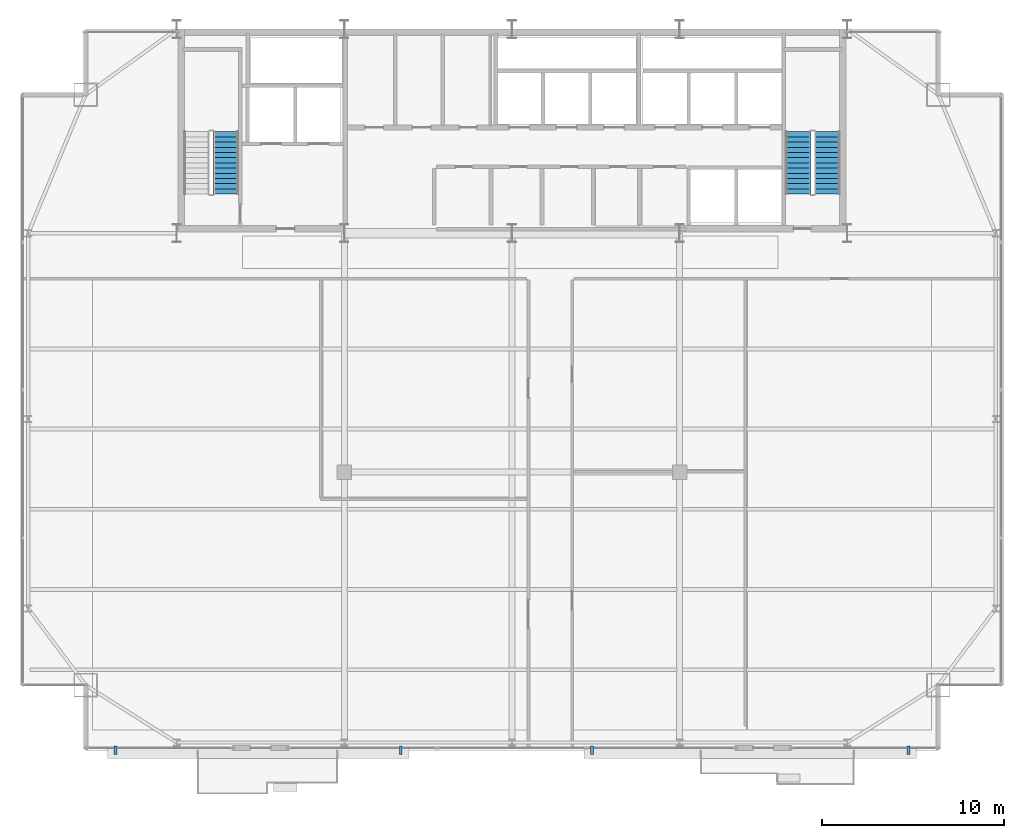
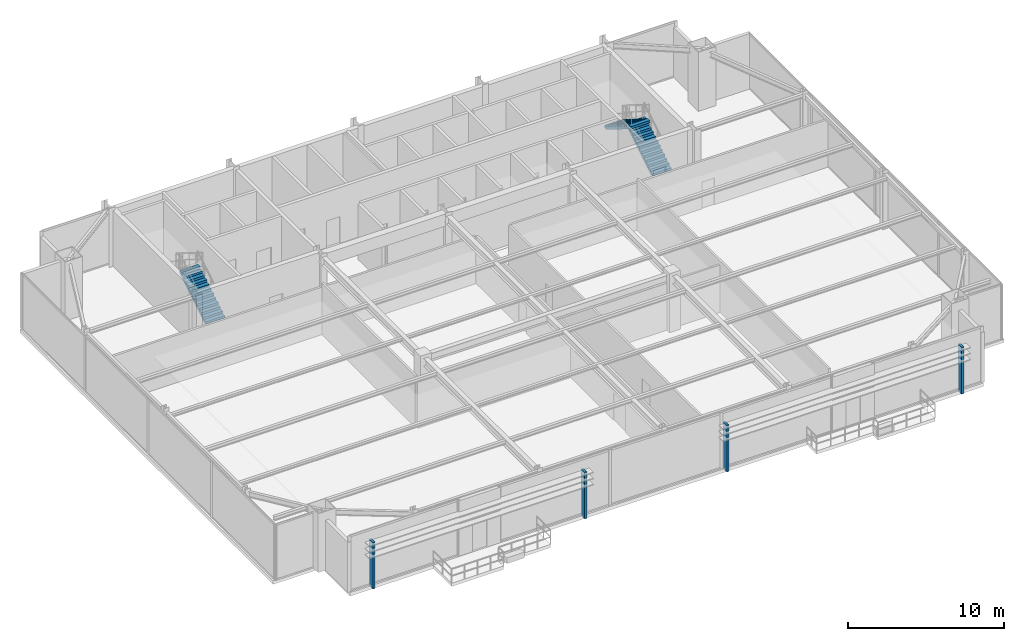
# One storey, part 23 of 25: 4 discrete accessories, 3 stair flights, 2 elements without a shape of their own.
"""IFC4 building model written with IfcOpenShell, lengths in metres."""

from ifc_helpers import new_model, si_unit, direction, frame, origin, origin_2d, place, context, subcontext, project, spatial, polyline, rectangle, outline, extrude, source, transform, mapped, material, layer, layer_set, type_object, type_shapes, element, aggregate, save


model = new_model("IFC4")

# Units and contexts
model_context = context("Model", 3, precision=1e-05, world=origin(), true_north=direction((0.0, 1.0)))
body_context = subcontext(model_context, "Body", "Model", "MODEL_VIEW")
ifc_project = project(units=[si_unit("LENGTHUNIT", "METRE"), si_unit("AREAUNIT", "SQUARE_METRE"), si_unit("VOLUMEUNIT", "CUBIC_METRE"), si_unit("PLANEANGLEUNIT", "RADIAN"), si_unit("MASSUNIT", "GRAM", prefix="KILO")], contexts=[model_context])

# Site, building, storey
site_placement = place(None, origin())
site = spatial("IfcSite", under=ifc_project, at=site_placement, CompositionType="ELEMENT")
building_placement = place(site_placement, origin())
building = spatial("IfcBuilding", under=site, at=building_placement, Name="Varnel Quay Broadcast Tower", CompositionType="ELEMENT")
storey_placement = place(building_placement, frame((0.0, 0.0, 191.39990234375)))
storey = spatial("IfcBuildingStorey", under=building, at=storey_placement, Name="L47", CompositionType="ELEMENT", Elevation=191.39990234375)

# Stair, stair flight
ifc_material_1 = material(Name="Precast Structural Concrete C40/50", Category="concrete")
stair_type_1 = type_object("IfcStairType", Name="Stair_ST-01", PredefinedType="HALF_TURN_STAIR", material=ifc_material_1)
stair_1_placement = place(storey_placement, origin())
stair_1 = element("IfcStair", 1, at=stair_1_placement, inside=storey, type_object=stair_type_1, Name="L47 West Core Exit Stair 1", PredefinedType="HALF_TURN_STAIR")
stair_flight_type_1 = type_object("IfcStairFlightType", Name="Flight_ST-01", PredefinedType="STRAIGHT", material=ifc_material_1)
stair_flight_1_placement = place(storey_placement, frame((18.300048828125, 37.75, 0.0), z_axis=(0.0, 0.0, 1.0), x_axis=(0.0, 1.0, 0.0)))
stair_flight_1 = element("IfcStairFlight", 2, at=stair_flight_1_placement, type_object=stair_flight_type_1, Name="ST-01 flight 1", NumberOfRisers=13, NumberOfTreads=12, PredefinedType="STRAIGHT", RiserHeight=0.176923077, TreadLength=0.285, context=body_context, shape_type="SweptSolid", body=[
    extrude(outline(polyline([(0.0, 0.0), (0.0, 0.177001953125), (0.284912109375, 0.177001953125), (0.284912109375, 0.353759765625), (0.570068359375, 0.353759765625), (0.570068359375, 0.53076171875), (0.85498046875, 0.53076171875), (0.85498046875, 0.707763671875), (1.139892578125, 0.707763671875), (1.139892578125, 0.884521484375), (1.425048828125, 0.884521484375), (1.425048828125, 1.0615234375), (1.7099609375, 1.0615234375), (1.7099609375, 1.238525390625), (1.9951171875, 1.238525390625), (1.9951171875, 1.415283203125), (2.280029296875, 1.415283203125), (2.280029296875, 1.59228515625), (2.56494140625, 1.59228515625), (2.56494140625, 1.769287109375), (2.85009765625, 1.769287109375), (2.85009765625, 1.946044921875), (3.135009765625, 1.946044921875), (3.135009765625, 2.123046875), (3.419921875, 2.123046875), (3.419921875, 2.300048828125), (3.419921875, 1.946533203125), (0.2841796875, 0.0), (0.0, 0.0)])), frame((0.0, 0.699951171875, 0.0), z_axis=(0.0, -1.0, 0.0), x_axis=(1.0, 0.0, 0.0)), (0.0, 0.0, 1.0), 1.39990234375),
])
aggregate(stair_1, [stair_flight_1])

# Stair, stair flights
stair_type_2 = type_object("IfcStairType", Name="Stair_ST-02", PredefinedType="HALF_TURN_STAIR", material=ifc_material_1)
stair_2_placement = place(storey_placement, origin())
stair_2 = element("IfcStair", 3, at=stair_2_placement, inside=storey, type_object=stair_type_2, Name="L47 East Core Exit Stair 2", PredefinedType="HALF_TURN_STAIR")
stair_flight_type_2 = type_object("IfcStairFlightType", Name="Flight_ST-02", PredefinedType="STRAIGHT", material=ifc_material_1)
stair_flight_2_placement = place(storey_placement, frame((51.300048828125, 37.75, 0.0), z_axis=(0.0, 0.0, 1.0), x_axis=(0.0, 1.0, 0.0)))
stair_flight_2 = element("IfcStairFlight", 4, at=stair_flight_2_placement, type_object=stair_flight_type_2, Name="ST-02 flight 1", NumberOfRisers=13, NumberOfTreads=12, PredefinedType="STRAIGHT", RiserHeight=0.176923077, TreadLength=0.285, context=body_context, shape_type="SweptSolid", body=[
    extrude(outline(polyline([(0.0, 0.0), (0.0, 0.177001953125), (0.284912109375, 0.177001953125), (0.284912109375, 0.353759765625), (0.570068359375, 0.353759765625), (0.570068359375, 0.53076171875), (0.85498046875, 0.53076171875), (0.85498046875, 0.707763671875), (1.139892578125, 0.707763671875), (1.139892578125, 0.884521484375), (1.425048828125, 0.884521484375), (1.425048828125, 1.0615234375), (1.7099609375, 1.0615234375), (1.7099609375, 1.238525390625), (1.9951171875, 1.238525390625), (1.9951171875, 1.415283203125), (2.280029296875, 1.415283203125), (2.280029296875, 1.59228515625), (2.56494140625, 1.59228515625), (2.56494140625, 1.769287109375), (2.85009765625, 1.769287109375), (2.85009765625, 1.946044921875), (3.135009765625, 1.946044921875), (3.135009765625, 2.123046875), (3.419921875, 2.123046875), (3.419921875, 2.300048828125), (3.419921875, 1.946533203125), (0.2841796875, 0.0), (0.0, 0.0)])), frame((0.0, 0.699951171875, 0.0), z_axis=(0.0, -1.0, 0.0), x_axis=(1.0, 0.0, 0.0)), (0.0, 0.0, 1.0), 1.39990234375),
])
stair_flight_3_placement = place(storey_placement, frame((49.699951171875, 41.169921875, 2.300048828125), z_axis=(0.0, 0.0, 1.0), x_axis=(0.0, -1.0, 0.0)))
stair_flight_3 = element("IfcStairFlight", 5, at=stair_flight_3_placement, type_object=stair_flight_type_2, Name="ST-02 flight 2", NumberOfRisers=13, NumberOfTreads=12, PredefinedType="STRAIGHT", RiserHeight=0.176923077, TreadLength=0.285, context=body_context, shape_type="SweptSolid", body=[
    extrude(outline(polyline([(0.0, 0.0), (0.0, 0.177001953125), (0.284912109375, 0.177001953125), (0.284912109375, 0.353759765625), (0.570068359375, 0.353759765625), (0.570068359375, 0.53076171875), (0.85498046875, 0.53076171875), (0.85498046875, 0.707763671875), (1.139892578125, 0.707763671875), (1.139892578125, 0.884521484375), (1.425048828125, 0.884521484375), (1.425048828125, 1.0615234375), (1.7099609375, 1.0615234375), (1.7099609375, 1.238525390625), (1.9951171875, 1.238525390625), (1.9951171875, 1.415283203125), (2.280029296875, 1.415283203125), (2.280029296875, 1.59228515625), (2.56494140625, 1.59228515625), (2.56494140625, 1.769287109375), (2.85009765625, 1.769287109375), (2.85009765625, 1.946044921875), (3.135009765625, 1.946044921875), (3.135009765625, 2.123046875), (3.419921875, 2.123046875), (3.419921875, 2.300048828125), (3.419921875, 1.946533203125), (0.2841796875, 0.0), (0.0, 0.0)])), frame((0.0, 0.699951171875, 0.0), z_axis=(0.0, -1.0, 0.0), x_axis=(1.0, 0.0, 0.0)), (0.0, 0.0, 1.0), 1.39990234375),
])
aggregate(stair_2, [stair_flight_2, stair_flight_3])

# Discrete accessories
ifc_material_2 = material(Name="Anodised Bronze Aluminium 6063-T6", Category="aluminium")
ifc_layer = layer(ifc_material_2, 0.47998046875, Name="Anodised Bronze Aluminium 6063-T6")
ifc_layer_set = layer_set([ifc_layer], Name="Anodised Bronze Aluminium 6063-T6")
discrete_accessory_type = type_object("IfcDiscreteAccessoryType", Name="Acc_FacadeBracket", PredefinedType="BRACKET", material=ifc_layer_set)
shared_shape = source(origin(), body_context, "Body", "SweptSolid", [
    extrude(rectangle(XDim=0.159912109375, YDim=0.47998046875, at=origin_2d()), origin(), (0.0, 0.0, 1.0), 3.64990234375),
])
type_shapes(discrete_accessory_type, [shared_shape])
for number, where, z_axis, x_axis, name in (
    (6, (12.25, 7.219970703125, -0.14990234375), (0.0, 0.0, 1.0), (1.0, 0.0, 0.0), "L47 Lobe 1 Louvre Support Bracket 1"),
    (7, (27.89404296875, 7.219970703125, -0.14990234375), (0.0, 0.0, 1.0), (1.0, 0.0, 0.0), "L47 Lobe 1 Louvre Support Bracket 2"),
    (8, (38.39404296875, 7.219970703125, -0.14990234375), (0.0, 0.0, 1.0), (1.0, 0.0, 0.0), "L47 Lobe 2 Louvre Support Bracket 1"),
    (9, (55.75, 7.219970703125, -0.14990234375), (0.0, 0.0, 1.0), (1.0, 0.0, 0.0), "L47 Lobe 2 Louvre Support Bracket 2"),
):
    element("IfcDiscreteAccessory", number, at=place(storey_placement, frame(where, z_axis=z_axis, x_axis=x_axis)), inside=storey, type_object=discrete_accessory_type, Name=name, PredefinedType="BRACKET", context=body_context, shape_type="MappedRepresentation", body=[
        mapped(shared_shape, transform((0.0, 0.0, 0.0), x_axis=(1.0, 0.0, 0.0), y_axis=(0.0, 1.0, 0.0), z_axis=(0.0, 0.0, 1.0), scale=1.0)),
    ])

save(model, "model.ifc")
